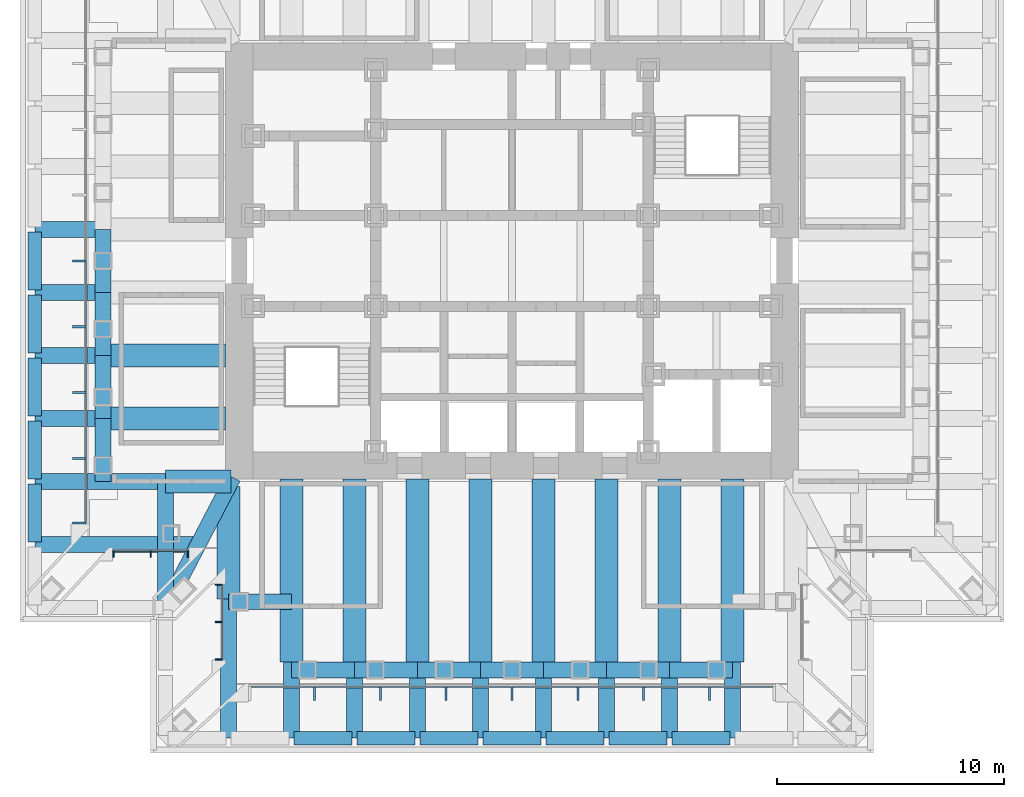
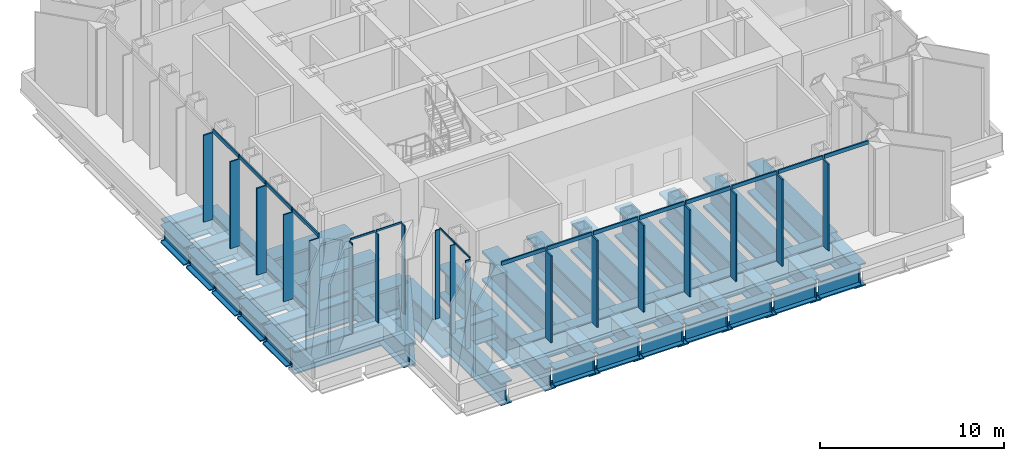
# One storey, part 2 of 13: 53 beams, 34 members, 4 elements without a shape of their own.
"""IFC4 building model written with IfcOpenShell, lengths in metres."""

import ifcopenshell
import ifcopenshell.guid

model = None  # the IFC model being written
_history = None  # IfcOwnerHistory: only IFC2X3 demands one
_inside = {}  # id of a spatial element -> (the spatial element, [elements in it])
_under = {}  # id of a project, library or spatial element -> (it, [spatial elements below it])
_declared = {}  # id of a project -> (the project, [libraries it declares])
_typed = {}  # id of a type object -> (the type object, [elements of that type])
_made_of = {}  # id of a material, layer set ... -> (it, [elements and type objects made of it])


def new_model(schema):
    """Start an empty IFC model of exactly this schema.

    Asked for "IFC4X3", IfcOpenShell would pick the latest addendum, in which some entities
    have other attributes; the version numbers below select the first issue.
    IFC2X3 requires an IfcOwnerHistory on every rooted entity: one is made here for all.
    """
    global model, _history
    if schema == "IFC4X3":
        model = ifcopenshell.file(schema_version=(4, 3, 0, 0))
    else:
        model = ifcopenshell.file(schema=schema)
    _inside.clear()
    _under.clear()
    _declared.clear()
    _typed.clear()
    _made_of.clear()
    _history = None
    if model.schema == "IFC2X3":
        org = make("IfcOrganization", Name="unknown")
        user = make(
            "IfcPersonAndOrganization",
            ThePerson=make("IfcPerson", FamilyName="unknown"),
            TheOrganization=org,
        )
        app = make(
            "IfcApplication",
            ApplicationDeveloper=org,
            Version="unknown",
            ApplicationFullName="unknown",
            ApplicationIdentifier="unknown",
        )
        _history = make(
            "IfcOwnerHistory",
            OwningUser=user,
            OwningApplication=app,
            ChangeAction="ADDED",
            CreationDate=0,
        )
    return model


def make(cls, **values):
    """One entity of the class cls with the attributes given. An attribute that is None is left unset."""
    return model.create_entity(
        cls, **{name: value for name, value in values.items() if value is not None}
    )


def rooted(cls, **values):
    """An entity with a GlobalId (a new one), such as an element, a storey or a relation."""
    return make(cls, GlobalId=ifcopenshell.guid.new(), OwnerHistory=_history, **values)


def si_unit(unit_type, name, prefix=None):
    """IfcSIUnit, for example si_unit("LENGTHUNIT", "METRE", prefix="MILLI")."""
    return make("IfcSIUnit", UnitType=unit_type, Prefix=prefix, Name=name)


def assignment(units):
    """IfcUnitAssignment: the units of a project."""
    return None if units is None else make("IfcUnitAssignment", Units=units)


def point(xyz):
    """IfcCartesianPoint."""
    return None if xyz is None else make("IfcCartesianPoint", Coordinates=xyz)


def direction(xyz):
    """IfcDirection."""
    return None if xyz is None else make("IfcDirection", DirectionRatios=xyz)


def frame(location, z_axis=None, x_axis=None):
    """IfcAxis2Placement3D, a coordinate frame: its origin and axes. An axis left out is left unset."""
    return make(
        "IfcAxis2Placement3D",
        Location=point(location),
        Axis=direction(z_axis),
        RefDirection=direction(x_axis),
    )


def frame_2d(location, x_axis=None):
    """IfcAxis2Placement2D, a coordinate frame in the plane: its origin and x axis."""
    return make(
        "IfcAxis2Placement2D", Location=point(location), RefDirection=direction(x_axis)
    )


def origin():
    """The frame at (0, 0, 0) with its axes left unset."""
    return frame((0.0, 0.0, 0.0))


def origin_2d():
    """The frame at (0, 0) in the plane with its x axis left unset."""
    return frame_2d((0.0, 0.0))


def place(relative_to, where):
    """IfcLocalPlacement: puts the frame where relative to a parent placement (None: the world)."""
    return make(
        "IfcLocalPlacement", PlacementRelTo=relative_to, RelativePlacement=where
    )


def context(
    kind, dimensions, precision=None, world=None, true_north=None, identifier=None
):
    """IfcGeometricRepresentationContext, for example the 3D "Model" context."""
    return make(
        "IfcGeometricRepresentationContext",
        ContextIdentifier=identifier,
        ContextType=kind,
        CoordinateSpaceDimension=dimensions,
        Precision=precision,
        WorldCoordinateSystem=world,
        TrueNorth=true_north,
    )


def subcontext(parent, identifier, kind, view, scale=None):
    """IfcGeometricRepresentationSubContext, for example "Body" below "Model"."""
    return make(
        "IfcGeometricRepresentationSubContext",
        ContextIdentifier=identifier,
        ContextType=kind,
        ParentContext=parent,
        TargetScale=scale,
        TargetView=view,
    )


def project(units=None, contexts=None):
    """IfcProject with its units and contexts."""
    return rooted(
        "IfcProject",
        Name="project",
        RepresentationContexts=contexts,
        UnitsInContext=assignment(units),
    )


def spatial(cls, under=None, at=None, **own):
    """A site, building, storey or space (cls), placed at a placement, below another one or the project."""
    s = rooted(cls, ObjectPlacement=at, **own)
    if under is not None:
        _under.setdefault(under.id(), (under, []))[1].append(s)
    return s


def profile(cls, at=None, kind="AREA", **sizes):
    """A parametric profile (cls). Its sizes go by their IFC names, for example OverallWidth=200.0."""
    return make(cls, ProfileType=kind, Position=at, **sizes)


def rectangle(**sizes):
    """IfcRectangleProfileDef."""
    return profile("IfcRectangleProfileDef", **sizes)


def i_section(**sizes):
    """IfcIShapeProfileDef."""
    return profile("IfcIShapeProfileDef", **sizes)


def extrude(swept, where, along, depth):
    """IfcExtrudedAreaSolid: the profile swept, set in the frame where, extruded along a direction by depth."""
    return make(
        "IfcExtrudedAreaSolid",
        SweptArea=swept,
        Position=where,
        ExtrudedDirection=direction(along),
        Depth=depth,
    )


def shape(context_of_items, identifier, shape_type, items):
    """IfcShapeRepresentation: the items that make up one representation, for example the "Body"."""
    return make(
        "IfcShapeRepresentation",
        ContextOfItems=context_of_items,
        RepresentationIdentifier=identifier,
        RepresentationType=shape_type,
        Items=items,
    )


def material(Name=None, Category=None):
    """IfcMaterial."""
    return make("IfcMaterial", Name=Name, Category=Category)


def material_profile(
    of_material, cross_section, Name=None, Category=None, Priority=None
):
    """IfcMaterialProfile: a cross section and its material."""
    return make(
        "IfcMaterialProfile",
        Name=Name,
        Material=of_material,
        Profile=cross_section,
        Priority=Priority,
        Category=Category,
    )


def profile_set(profiles, Name=None, composite=None):
    """IfcMaterialProfileSet."""
    return make(
        "IfcMaterialProfileSet",
        Name=Name,
        MaterialProfiles=profiles,
        CompositeProfile=composite,
    )


def made_of(thing, what):
    """Note that an element or type object is made of a material, layer set ...; save() writes the relation."""
    if what is not None:
        _made_of.setdefault(what.id(), (what, []))[1].append(thing)
    return thing


def type_object(cls, material=None, **own):
    """A type object (cls), such as IfcWallType, which elements share."""
    return made_of(rooted(cls, **own), material)


def element(
    cls,
    number,
    at=None,
    inside=None,
    cuts=None,
    type_object=None,
    material=None,
    context=None,
    identifier="Body",
    shape_type=None,
    held_by="IfcProductDefinitionShape",
    body=None,
    shapes=None,
    **own,
):
    """One element of the class cls, such as IfcWall. Its Tag is "e" and its number.

    at: its placement. inside: the storey or other place that contains it. cuts: it is an
    opening in that element (IfcRelVoidsElement). A single representation is given by context,
    identifier, shape_type and body (its items); several are given by shapes. held_by: the class
    of the entity that holds the representations. save() writes the other relations.
    """
    e = rooted(cls, Tag="e%d" % number, ObjectPlacement=at, **own)
    if body is not None:
        shapes = [shape(context, identifier, shape_type, body)]
    if shapes is not None:
        e.Representation = make(held_by, Representations=shapes)
    if inside is not None:
        _inside.setdefault(inside.id(), (inside, []))[1].append(e)
    if cuts is not None:
        rooted(
            "IfcRelVoidsElement", RelatingBuildingElement=cuts, RelatedOpeningElement=e
        )
    if type_object is not None:
        _typed.setdefault(type_object.id(), (type_object, []))[1].append(e)
    return made_of(e, material)


def aggregate(whole, parts):
    """IfcRelAggregates: a whole, such as a stair, and the parts it consists of."""
    return rooted("IfcRelAggregates", RelatingObject=whole, RelatedObjects=parts)


def save(model, path):
    """Write the relations noted so far, then the file.

    IfcRelAggregates (storeys below a building ...), IfcRelContainedInSpatialStructure (elements
    in a storey), IfcRelDefinesByType, IfcRelAssociatesMaterial and IfcRelDeclares: one each for
    every whole, place, type object, material and project.
    """
    for whole, parts in _under.values():
        aggregate(whole, parts)
    for where, things in _inside.values():
        rooted(
            "IfcRelContainedInSpatialStructure",
            RelatedElements=things,
            RelatingStructure=where,
        )
    for kind, things in _typed.values():
        rooted("IfcRelDefinesByType", RelatedObjects=things, RelatingType=kind)
    for what, things in _made_of.values():
        rooted("IfcRelAssociatesMaterial", RelatedObjects=things, RelatingMaterial=what)
    for by, libraries in _declared.values():
        rooted("IfcRelDeclares", RelatingContext=by, RelatedDefinitions=libraries)
    model.write(path)


model = new_model("IFC4")

# Units and contexts
model_context = context("Model", 3, precision=1e-05, world=origin(), true_north=direction((0.0, 1.0)))
body_context = subcontext(model_context, "Body", "Model", "MODEL_VIEW")
ifc_project = project(units=[si_unit("LENGTHUNIT", "METRE"), si_unit("AREAUNIT", "SQUARE_METRE"), si_unit("VOLUMEUNIT", "CUBIC_METRE"), si_unit("PLANEANGLEUNIT", "RADIAN"), si_unit("MASSUNIT", "GRAM", prefix="KILO")], contexts=[model_context])

# Site, building, storey
site_placement = place(None, origin())
site = spatial("IfcSite", under=ifc_project, at=site_placement, CompositionType="ELEMENT")
building_placement = place(site_placement, origin())
building = spatial("IfcBuilding", under=site, at=building_placement, Name="Daluyong Arena Tower", CompositionType="ELEMENT")
storey_placement = place(building_placement, frame((0.0, 0.0, 279.699951171875)))
storey = spatial("IfcBuildingStorey", under=building, at=storey_placement, Name="L63", CompositionType="ELEMENT", Elevation=279.699951171875)

# Curtain wall, members
ifc_material_1 = material(Name="Bronze anodised aluminium and glass", Category="aluminium")
curtain_wall_type_1 = type_object("IfcCurtainWallType", Name="Curtain wall CW5", PredefinedType="USERDEFINED", material=ifc_material_1)
curtain_wall_1_placement = place(storey_placement, origin())
curtain_wall_1 = element("IfcCurtainWall", 1, at=curtain_wall_1_placement, inside=storey, type_object=curtain_wall_type_1, Name="curtain wall L63 S", ObjectType="UNITISED CURTAIN WALL", PredefinedType="USERDEFINED")
ifc_material_2 = material(Name="Bronze anodised aluminium fin", Category="aluminium")
ifc_material_profile_1 = material_profile(ifc_material_2, rectangle(XDim=0.60009765625, YDim=0.090087890625, at=origin_2d()))
ifc_profile_set_1 = profile_set([ifc_material_profile_1], Name="Bronze anodised aluminium fin")
member_type_1 = type_object("IfcMemberType", Name="CW5 bronze fin 600x90", PredefinedType="MULLION", material=ifc_profile_set_1)
member_1_placement = place(storey_placement, frame((47.310791015625, 60.949951171875, 0.0), z_axis=(0.0, 0.0, 1.0), x_axis=(0.0, 1.0, 0.0)))
member_1 = element("IfcMember", 2, at=member_1_placement, type_object=member_type_1, Name="curtain wall L63 S fin 2", PredefinedType="MULLION", context=body_context, shape_type="SweptSolid", body=[
    extrude(rectangle(XDim=0.60009765625, YDim=0.090087890625, at=origin_2d()), origin(), (0.0, 0.0, 1.0), 5.760009765625),
])
member_2_placement = place(storey_placement, frame((50.207275390625, 60.949951171875, 0.0), z_axis=(0.0, 0.0, 1.0), x_axis=(0.0, 1.0, 0.0)))
member_2 = element("IfcMember", 3, at=member_2_placement, type_object=member_type_1, Name="curtain wall L63 S fin 3", PredefinedType="MULLION", context=body_context, shape_type="SweptSolid", body=[
    extrude(rectangle(XDim=0.60009765625, YDim=0.090087890625, at=origin_2d()), origin(), (0.0, 0.0, 1.0), 5.760009765625),
])
member_3_placement = place(storey_placement, frame((53.103515625, 60.949951171875, 0.0), z_axis=(0.0, 0.0, 1.0), x_axis=(0.0, 1.0, 0.0)))
member_3 = element("IfcMember", 4, at=member_3_placement, type_object=member_type_1, Name="curtain wall L63 S fin 4", PredefinedType="MULLION", context=body_context, shape_type="SweptSolid", body=[
    extrude(rectangle(XDim=0.60009765625, YDim=0.090087890625, at=origin_2d()), origin(), (0.0, 0.0, 1.0), 5.760009765625),
])
member_4_placement = place(storey_placement, frame((56.0, 60.949951171875, 0.0), z_axis=(0.0, 0.0, 1.0), x_axis=(0.0, 1.0, 0.0)))
member_4 = element("IfcMember", 5, at=member_4_placement, type_object=member_type_1, Name="curtain wall L63 S fin 5", PredefinedType="MULLION", context=body_context, shape_type="SweptSolid", body=[
    extrude(rectangle(XDim=0.60009765625, YDim=0.090087890625, at=origin_2d()), origin(), (0.0, 0.0, 1.0), 5.760009765625),
])
member_5_placement = place(storey_placement, frame((58.896484375, 60.949951171875, 0.0), z_axis=(0.0, 0.0, 1.0), x_axis=(0.0, 1.0, 0.0)))
member_5 = element("IfcMember", 6, at=member_5_placement, type_object=member_type_1, Name="curtain wall L63 S fin 6", PredefinedType="MULLION", context=body_context, shape_type="SweptSolid", body=[
    extrude(rectangle(XDim=0.60009765625, YDim=0.090087890625, at=origin_2d()), origin(), (0.0, 0.0, 1.0), 5.760009765625),
])
member_6_placement = place(storey_placement, frame((61.792724609375, 60.949951171875, 0.0), z_axis=(0.0, 0.0, 1.0), x_axis=(0.0, 1.0, 0.0)))
member_6 = element("IfcMember", 7, at=member_6_placement, type_object=member_type_1, Name="curtain wall L63 S fin 7", PredefinedType="MULLION", context=body_context, shape_type="SweptSolid", body=[
    extrude(rectangle(XDim=0.60009765625, YDim=0.090087890625, at=origin_2d()), origin(), (0.0, 0.0, 1.0), 5.760009765625),
])
member_7_placement = place(storey_placement, frame((64.689208984375, 60.949951171875, 0.0), z_axis=(0.0, 0.0, 1.0), x_axis=(0.0, 1.0, 0.0)))
member_7 = element("IfcMember", 8, at=member_7_placement, type_object=member_type_1, Name="curtain wall L63 S fin 8", PredefinedType="MULLION", context=body_context, shape_type="SweptSolid", body=[
    extrude(rectangle(XDim=0.60009765625, YDim=0.090087890625, at=origin_2d()), origin(), (0.0, 0.0, 1.0), 5.760009765625),
])

curtain_wall_2_placement = place(storey_placement, origin())
curtain_wall_2 = element("IfcCurtainWall", 9, at=curtain_wall_2_placement, inside=storey, type_object=curtain_wall_type_1, Name="curtain wall L63 W", ObjectType="UNITISED CURTAIN WALL", PredefinedType="USERDEFINED")
member_8_placement = place(storey_placement, frame((36.949951171875, 80.0, 0.0), z_axis=(0.0, 0.0, 1.0), x_axis=(1.0, 0.0, 0.0)))
member_8 = element("IfcMember", 10, at=member_8_placement, type_object=member_type_1, Name="curtain wall L63 W fin 5", PredefinedType="MULLION", context=body_context, shape_type="SweptSolid", body=[
    extrude(rectangle(XDim=0.60009765625, YDim=0.090087890625, at=origin_2d()), origin(), (0.0, 0.0, 1.0), 5.760009765625),
])
member_9_placement = place(storey_placement, frame((36.949951171875, 77.103515625, 0.0), z_axis=(0.0, 0.0, 1.0), x_axis=(1.0, 0.0, 0.0)))
member_9 = element("IfcMember", 11, at=member_9_placement, type_object=member_type_1, Name="curtain wall L63 W fin 6", PredefinedType="MULLION", context=body_context, shape_type="SweptSolid", body=[
    extrude(rectangle(XDim=0.60009765625, YDim=0.090087890625, at=origin_2d()), origin(), (0.0, 0.0, 1.0), 5.760009765625),
])
member_10_placement = place(storey_placement, frame((36.949951171875, 74.207275390625, 0.0), z_axis=(0.0, 0.0, 1.0), x_axis=(1.0, 0.0, 0.0)))
member_10 = element("IfcMember", 12, at=member_10_placement, type_object=member_type_1, Name="curtain wall L63 W fin 7", PredefinedType="MULLION", context=body_context, shape_type="SweptSolid", body=[
    extrude(rectangle(XDim=0.60009765625, YDim=0.090087890625, at=origin_2d()), origin(), (0.0, 0.0, 1.0), 5.760009765625),
])
member_11_placement = place(storey_placement, frame((36.949951171875, 71.310791015625, 0.0), z_axis=(0.0, 0.0, 1.0), x_axis=(1.0, 0.0, 0.0)))
member_11 = element("IfcMember", 13, at=member_11_placement, type_object=member_type_1, Name="curtain wall L63 W fin 8", PredefinedType="MULLION", context=body_context, shape_type="SweptSolid", body=[
    extrude(rectangle(XDim=0.60009765625, YDim=0.090087890625, at=origin_2d()), origin(), (0.0, 0.0, 1.0), 5.760009765625),
])
member_12_placement = place(storey_placement, frame((36.949951171875, 68.45947265625, 0.0), z_axis=(0.0, 0.0, 1.0), x_axis=(1.0, 0.0, 0.0)))
member_12 = element("IfcMember", 14, at=member_12_placement, type_object=member_type_1, Name="curtain wall L63 W fin 9", PredefinedType="MULLION", context=body_context, shape_type="SweptSolid", body=[
    extrude(rectangle(XDim=0.60009765625, YDim=0.090087890625, at=origin_2d()), origin(), (0.0, 0.0, 1.0), 5.760009765625),
])

# Member
ifc_material_3 = material(Name="Bronze anodised aluminium", Category="aluminium")
ifc_material_profile_2 = material_profile(ifc_material_3, rectangle(XDim=0.090087890625, YDim=0.239990234375, at=origin_2d()))
ifc_profile_set_2 = profile_set([ifc_material_profile_2], Name="Bronze anodised aluminium")
member_type_2 = type_object("IfcMemberType", Name="CW5 stack transom 240x90", PredefinedType="USERDEFINED", material=ifc_profile_set_2)
member_13_placement = place(storey_placement, frame((44.50439453125, 61.25, 5.880126953125), z_axis=(1.0, 0.0, 0.0), x_axis=(0.0, 1.0, 0.0)))
member_13 = element("IfcMember", 15, at=member_13_placement, type_object=member_type_2, Name="curtain wall L63 S transom 1", ObjectType="TRANSOM", PredefinedType="USERDEFINED", context=body_context, shape_type="SweptSolid", body=[
    extrude(rectangle(XDim=0.090087890625, YDim=0.239990234375, at=origin_2d()), origin(), (0.0, 0.0, 1.0), 2.761474609375),
])

member_14_placement = place(storey_placement, frame((47.35595703125, 61.25, 5.880126953125), z_axis=(1.0, 0.0, 0.0), x_axis=(0.0, 1.0, 0.0)))
member_14 = element("IfcMember", 16, at=member_14_placement, type_object=member_type_2, Name="curtain wall L63 S transom 2", ObjectType="TRANSOM", PredefinedType="USERDEFINED", context=body_context, shape_type="SweptSolid", body=[
    extrude(rectangle(XDim=0.090087890625, YDim=0.239990234375, at=origin_2d()), origin(), (0.0, 0.0, 1.0), 2.806396484375),
])

member_15_placement = place(storey_placement, frame((50.252197265625, 61.25, 5.880126953125), z_axis=(1.0, 0.0, 0.0), x_axis=(0.0, 1.0, 0.0)))
member_15 = element("IfcMember", 17, at=member_15_placement, type_object=member_type_2, Name="curtain wall L63 S transom 3", ObjectType="TRANSOM", PredefinedType="USERDEFINED", context=body_context, shape_type="SweptSolid", body=[
    extrude(rectangle(XDim=0.090087890625, YDim=0.239990234375, at=origin_2d()), origin(), (0.0, 0.0, 1.0), 2.806396484375),
])

member_16_placement = place(storey_placement, frame((53.148681640625, 61.25, 5.880126953125), z_axis=(1.0, 0.0, 0.0), x_axis=(0.0, 1.0, 0.0)))
member_16 = element("IfcMember", 18, at=member_16_placement, type_object=member_type_2, Name="curtain wall L63 S transom 4", ObjectType="TRANSOM", PredefinedType="USERDEFINED", context=body_context, shape_type="SweptSolid", body=[
    extrude(rectangle(XDim=0.090087890625, YDim=0.239990234375, at=origin_2d()), origin(), (0.0, 0.0, 1.0), 2.806396484375),
])

member_17_placement = place(storey_placement, frame((56.044921875, 61.25, 5.880126953125), z_axis=(1.0, 0.0, 0.0), x_axis=(0.0, 1.0, 0.0)))
member_17 = element("IfcMember", 19, at=member_17_placement, type_object=member_type_2, Name="curtain wall L63 S transom 5", ObjectType="TRANSOM", PredefinedType="USERDEFINED", context=body_context, shape_type="SweptSolid", body=[
    extrude(rectangle(XDim=0.090087890625, YDim=0.239990234375, at=origin_2d()), origin(), (0.0, 0.0, 1.0), 2.806396484375),
])

member_18_placement = place(storey_placement, frame((58.94140625, 61.25, 5.880126953125), z_axis=(1.0, 0.0, 0.0), x_axis=(0.0, 1.0, 0.0)))
member_18 = element("IfcMember", 20, at=member_18_placement, type_object=member_type_2, Name="curtain wall L63 S transom 6", ObjectType="TRANSOM", PredefinedType="USERDEFINED", context=body_context, shape_type="SweptSolid", body=[
    extrude(rectangle(XDim=0.090087890625, YDim=0.239990234375, at=origin_2d()), origin(), (0.0, 0.0, 1.0), 2.806396484375),
])

member_19_placement = place(storey_placement, frame((61.837646484375, 61.25, 5.880126953125), z_axis=(1.0, 0.0, 0.0), x_axis=(0.0, 1.0, 0.0)))
member_19 = element("IfcMember", 21, at=member_19_placement, type_object=member_type_2, Name="curtain wall L63 S transom 7", ObjectType="TRANSOM", PredefinedType="USERDEFINED", context=body_context, shape_type="SweptSolid", body=[
    extrude(rectangle(XDim=0.090087890625, YDim=0.239990234375, at=origin_2d()), origin(), (0.0, 0.0, 1.0), 2.806396484375),
])

member_20_placement = place(storey_placement, frame((64.734130859375, 61.25, 5.880126953125), z_axis=(1.0, 0.0, 0.0), x_axis=(0.0, 1.0, 0.0)))
member_20 = element("IfcMember", 22, at=member_20_placement, type_object=member_type_2, Name="curtain wall L63 S transom 8", ObjectType="TRANSOM", PredefinedType="USERDEFINED", context=body_context, shape_type="SweptSolid", body=[
    extrude(rectangle(XDim=0.090087890625, YDim=0.239990234375, at=origin_2d()), origin(), (0.0, 0.0, 1.0), 2.761474609375),
])

aggregate(curtain_wall_1, [member_1, member_2, member_3, member_4, member_5, member_6, member_7, member_13, member_14, member_15, member_16, member_17, member_18, member_19, member_20])

member_21_placement = place(storey_placement, frame((37.25, 79.955078125, 5.880126953125), z_axis=(0.0, -1.0, 0.0), x_axis=(1.0, 0.0, 0.0)))
member_21 = element("IfcMember", 23, at=member_21_placement, type_object=member_type_2, Name="curtain wall L63 W transom 5", ObjectType="TRANSOM", PredefinedType="USERDEFINED", context=body_context, shape_type="SweptSolid", body=[
    extrude(rectangle(XDim=0.090087890625, YDim=0.239990234375, at=origin_2d()), origin(), (0.0, 0.0, 1.0), 2.806396484375),
])

member_22_placement = place(storey_placement, frame((37.25, 77.05859375, 5.880126953125), z_axis=(0.0, -1.0, 0.0), x_axis=(1.0, 0.0, 0.0)))
member_22 = element("IfcMember", 24, at=member_22_placement, type_object=member_type_2, Name="curtain wall L63 W transom 6", ObjectType="TRANSOM", PredefinedType="USERDEFINED", context=body_context, shape_type="SweptSolid", body=[
    extrude(rectangle(XDim=0.090087890625, YDim=0.239990234375, at=origin_2d()), origin(), (0.0, 0.0, 1.0), 2.806396484375),
])

member_23_placement = place(storey_placement, frame((37.25, 74.162353515625, 5.880126953125), z_axis=(0.0, -1.0, 0.0), x_axis=(1.0, 0.0, 0.0)))
member_23 = element("IfcMember", 25, at=member_23_placement, type_object=member_type_2, Name="curtain wall L63 W transom 7", ObjectType="TRANSOM", PredefinedType="USERDEFINED", context=body_context, shape_type="SweptSolid", body=[
    extrude(rectangle(XDim=0.090087890625, YDim=0.239990234375, at=origin_2d()), origin(), (0.0, 0.0, 1.0), 2.806396484375),
])

member_24_placement = place(storey_placement, frame((37.25, 71.265869140625, 5.880126953125), z_axis=(0.0, -1.0, 0.0), x_axis=(1.0, 0.0, 0.0)))
member_24 = element("IfcMember", 26, at=member_24_placement, type_object=member_type_2, Name="curtain wall L63 W transom 8", ObjectType="TRANSOM", PredefinedType="USERDEFINED", context=body_context, shape_type="SweptSolid", body=[
    extrude(rectangle(XDim=0.090087890625, YDim=0.239990234375, at=origin_2d()), origin(), (0.0, 0.0, 1.0), 2.761474609375),
])

aggregate(curtain_wall_2, [member_8, member_9, member_10, member_11, member_12, member_21, member_22, member_23, member_24])

# Curtain wall, members
ifc_material_4 = material(Name="Bronze anodised aluminium and glass", Category="aluminium")
curtain_wall_type_2 = type_object("IfcCurtainWallType", Name="Curtain wall CW7", PredefinedType="USERDEFINED", material=ifc_material_4)
curtain_wall_3_placement = place(storey_placement, origin())
curtain_wall_3 = element("IfcCurtainWall", 27, at=curtain_wall_3_placement, inside=storey, type_object=curtain_wall_type_2, Name="curtain wall L63 SW-S", ObjectType="UNITISED CURTAIN WALL", PredefinedType="USERDEFINED")
ifc_material_5 = material(Name="Bronze anodised aluminium fin", Category="aluminium")
ifc_material_profile_3 = material_profile(ifc_material_5, rectangle(XDim=0.300048828125, YDim=0.06005859375, at=origin_2d()))
ifc_profile_set_3 = profile_set([ifc_material_profile_3], Name="Bronze anodised aluminium fin")
member_type_3 = type_object("IfcMemberType", Name="CW7 bronze fin 300x60", PredefinedType="MULLION", material=ifc_profile_set_3)
member_25_placement = place(storey_placement, frame((38.45947265625, 67.10009765625, 0.0), z_axis=(0.0, 0.0, 1.0), x_axis=(0.0, 1.0, 0.0)))
member_25 = element("IfcMember", 28, at=member_25_placement, type_object=member_type_3, Name="curtain wall L63 SW-S fin 1", PredefinedType="MULLION", context=body_context, shape_type="SweptSolid", body=[
    extrude(rectangle(XDim=0.300048828125, YDim=0.06005859375, at=origin_2d()), origin(), (0.0, 0.0, 1.0), 5.880126953125),
])
member_26_placement = place(storey_placement, frame((40.103759765625, 67.10009765625, 0.0), z_axis=(0.0, 0.0, 1.0), x_axis=(0.0, 1.0, 0.0)))
member_26 = element("IfcMember", 29, at=member_26_placement, type_object=member_type_3, Name="curtain wall L63 SW-S fin 2", PredefinedType="MULLION", context=body_context, shape_type="SweptSolid", body=[
    extrude(rectangle(XDim=0.300048828125, YDim=0.06005859375, at=origin_2d()), origin(), (0.0, 0.0, 1.0), 5.880126953125),
])
member_27_placement = place(storey_placement, frame((41.747802734375, 67.10009765625, 0.0), z_axis=(0.0, 0.0, 1.0), x_axis=(0.0, 1.0, 0.0)))
member_27 = element("IfcMember", 30, at=member_27_placement, type_object=member_type_3, Name="curtain wall L63 SW-S fin 3", PredefinedType="MULLION", context=body_context, shape_type="SweptSolid", body=[
    extrude(rectangle(XDim=0.300048828125, YDim=0.06005859375, at=origin_2d()), origin(), (0.0, 0.0, 1.0), 5.880126953125),
])

curtain_wall_4_placement = place(storey_placement, origin())
curtain_wall_4 = element("IfcCurtainWall", 31, at=curtain_wall_4_placement, inside=storey, type_object=curtain_wall_type_2, Name="curtain wall L63 SW-W", ObjectType="UNITISED CURTAIN WALL", PredefinedType="USERDEFINED")
member_28_placement = place(storey_placement, frame((43.10009765625, 65.747802734375, 0.0), z_axis=(0.0, 0.0, 1.0), x_axis=(1.0, 0.0, 0.0)))
member_28 = element("IfcMember", 32, at=member_28_placement, type_object=member_type_3, Name="curtain wall L63 SW-W fin 1", PredefinedType="MULLION", context=body_context, shape_type="SweptSolid", body=[
    extrude(rectangle(XDim=0.300048828125, YDim=0.06005859375, at=origin_2d()), origin(), (0.0, 0.0, 1.0), 5.880126953125),
])
member_29_placement = place(storey_placement, frame((43.10009765625, 64.103759765625, 0.0), z_axis=(0.0, 0.0, 1.0), x_axis=(1.0, 0.0, 0.0)))
member_29 = element("IfcMember", 33, at=member_29_placement, type_object=member_type_3, Name="curtain wall L63 SW-W fin 2", PredefinedType="MULLION", context=body_context, shape_type="SweptSolid", body=[
    extrude(rectangle(XDim=0.300048828125, YDim=0.06005859375, at=origin_2d()), origin(), (0.0, 0.0, 1.0), 5.880126953125),
])
member_30_placement = place(storey_placement, frame((43.10009765625, 62.45947265625, 0.0), z_axis=(0.0, 0.0, 1.0), x_axis=(1.0, 0.0, 0.0)))
member_30 = element("IfcMember", 34, at=member_30_placement, type_object=member_type_3, Name="curtain wall L63 SW-W fin 3", PredefinedType="MULLION", context=body_context, shape_type="SweptSolid", body=[
    extrude(rectangle(XDim=0.300048828125, YDim=0.06005859375, at=origin_2d()), origin(), (0.0, 0.0, 1.0), 5.880126953125),
])

# Member
ifc_material_6 = material(Name="Bronze anodised aluminium", Category="aluminium")
ifc_material_profile_4 = material_profile(ifc_material_6, rectangle(XDim=0.06005859375, YDim=0.1201171875, at=origin_2d()))
ifc_profile_set_4 = profile_set([ifc_material_profile_4], Name="Bronze anodised aluminium")
member_type_4 = type_object("IfcMemberType", Name="CW7 stack transom 120x60", PredefinedType="USERDEFINED", material=ifc_profile_set_4)
member_31_placement = place(storey_placement, frame((38.489501953125, 67.25, 5.93994140625), z_axis=(1.0, 0.0, 0.0), x_axis=(0.0, 1.0, 0.0)))
member_31 = element("IfcMember", 35, at=member_31_placement, type_object=member_type_4, Name="curtain wall L63 SW-S transom 1", ObjectType="TRANSOM", PredefinedType="USERDEFINED", context=body_context, shape_type="SweptSolid", body=[
    extrude(rectangle(XDim=0.06005859375, YDim=0.1201171875, at=origin_2d()), origin(), (0.0, 0.0, 1.0), 1.584228515625),
])

member_32_placement = place(storey_placement, frame((40.1337890625, 67.25, 5.93994140625), z_axis=(1.0, 0.0, 0.0), x_axis=(0.0, 1.0, 0.0)))
member_32 = element("IfcMember", 36, at=member_32_placement, type_object=member_type_4, Name="curtain wall L63 SW-S transom 2", ObjectType="TRANSOM", PredefinedType="USERDEFINED", context=body_context, shape_type="SweptSolid", body=[
    extrude(rectangle(XDim=0.06005859375, YDim=0.1201171875, at=origin_2d()), origin(), (0.0, 0.0, 1.0), 1.584228515625),
])

aggregate(curtain_wall_3, [member_25, member_26, member_27, member_31, member_32])

member_33_placement = place(storey_placement, frame((43.25, 65.718017578125, 5.93994140625), z_axis=(0.0, -1.0, 0.0), x_axis=(1.0, 0.0, 0.0)))
member_33 = element("IfcMember", 37, at=member_33_placement, type_object=member_type_4, Name="curtain wall L63 SW-W transom 1", ObjectType="TRANSOM", PredefinedType="USERDEFINED", context=body_context, shape_type="SweptSolid", body=[
    extrude(rectangle(XDim=0.06005859375, YDim=0.1201171875, at=origin_2d()), origin(), (0.0, 0.0, 1.0), 1.584228515625),
])

member_34_placement = place(storey_placement, frame((43.25, 64.07373046875, 5.93994140625), z_axis=(0.0, -1.0, 0.0), x_axis=(1.0, 0.0, 0.0)))
member_34 = element("IfcMember", 38, at=member_34_placement, type_object=member_type_4, Name="curtain wall L63 SW-W transom 2", ObjectType="TRANSOM", PredefinedType="USERDEFINED", context=body_context, shape_type="SweptSolid", body=[
    extrude(rectangle(XDim=0.06005859375, YDim=0.1201171875, at=origin_2d()), origin(), (0.0, 0.0, 1.0), 1.584228515625),
])

aggregate(curtain_wall_4, [member_28, member_29, member_30, member_33, member_34])

# Beams
ifc_material_7 = material(Name="Steel ASTM A588 Grade 50", Category="steel")
ifc_material_profile_5 = material_profile(ifc_material_7, i_section(OverallWidth=1.0, OverallDepth=2.0, WebThickness=0.06, FlangeThickness=0.15, at=origin_2d()))
ifc_profile_set_5 = profile_set([ifc_material_profile_5], Name="Steel ASTM A588 Grade 50")
beam_type_1 = type_object("IfcBeamType", Name="Floor beam PG2000X1000", PredefinedType="BEAM", material=ifc_profile_set_5)
beam_1_placement = place(storey_placement, frame((43.522705078125, 65.114990234375, -1.25), z_axis=(0.0, 1.0, 0.0), x_axis=(-1.0, 0.0, 0.0)))
element("IfcBeam", 39, at=beam_1_placement, inside=storey, type_object=beam_type_1, Name="floor beam FB5", PredefinedType="BEAM", context=body_context, shape_type="SweptSolid", body=[
    extrude(i_section(OverallWidth=1.0, OverallDepth=2.0, WebThickness=0.06, FlangeThickness=0.15, at=origin_2d()), origin(), (0.0, 0.0, 1.0), 4.96728515625),
])
for number, where, z_axis, x_axis, name in (
    (40, (46.29541015625, 62.35009765625, -1.25), (0.0, 1.0, 0.0), (-1.0, 0.0, 0.0), "floor beam FB5"),
    (41, (49.068115234375, 62.35009765625, -1.25), (0.0, 1.0, 0.0), (-1.0, 0.0, 0.0), "floor beam FB5"),
    (42, (51.8408203125, 62.35009765625, -1.25), (0.0, 1.0, 0.0), (-1.0, 0.0, 0.0), "floor beam FB5"),
    (43, (54.613525390625, 62.35009765625, -1.25), (0.0, 1.0, 0.0), (-1.0, 0.0, 0.0), "floor beam FB5"),
    (44, (57.386474609375, 62.35009765625, -1.25), (0.0, 1.0, 0.0), (-1.0, 0.0, 0.0), "floor beam FB5"),
    (45, (60.1591796875, 62.35009765625, -1.25), (0.0, 1.0, 0.0), (-1.0, 0.0, 0.0), "floor beam FB5"),
    (46, (62.931884765625, 62.35009765625, -1.25), (0.0, 1.0, 0.0), (-1.0, 0.0, 0.0), "floor beam FB5"),
    (47, (65.70458984375, 62.35009765625, -1.25), (0.0, 1.0, 0.0), (-1.0, 0.0, 0.0), "floor beam FB5"),
):
    element("IfcBeam", number, at=place(storey_placement, frame(where, z_axis=z_axis, x_axis=x_axis)), inside=storey, type_object=beam_type_1, Name=name, PredefinedType="BEAM", context=body_context, shape_type="SweptSolid", body=[
        extrude(i_section(OverallWidth=1.0, OverallDepth=2.0, WebThickness=0.06, FlangeThickness=0.15, at=origin_2d()), origin(), (0.0, 0.0, 1.0), 8.0498046875),
    ])
for number, where, z_axis, x_axis, name in (
    (48, (38.114990234375, 75.8408203125, -1.25), (1.0, 0.0, 0.0), (0.0, 1.0, 0.0), "floor beam FB5"),
    (49, (38.114990234375, 73.068115234375, -1.25), (1.0, 0.0, 0.0), (0.0, 1.0, 0.0), "floor beam FB5"),
):
    element("IfcBeam", number, at=place(storey_placement, frame(where, z_axis=z_axis, x_axis=x_axis)), inside=storey, type_object=beam_type_1, Name=name, PredefinedType="BEAM", context=body_context, shape_type="SweptSolid", body=[
        extrude(i_section(OverallWidth=1.0, OverallDepth=2.0, WebThickness=0.06, FlangeThickness=0.15, at=origin_2d()), origin(), (0.0, 0.0, 1.0), 5.284912109375),
    ])
beam_2_placement = place(storey_placement, frame((40.75, 70.29541015625, -1.25), z_axis=(1.0, 0.0, 0.0), x_axis=(0.0, 1.0, 0.0)))
element("IfcBeam", 50, at=beam_2_placement, inside=storey, type_object=beam_type_1, Name="floor beam FB5", PredefinedType="BEAM", context=body_context, shape_type="SweptSolid", body=[
    extrude(i_section(OverallWidth=1.0, OverallDepth=2.0, WebThickness=0.06, FlangeThickness=0.15, at=origin_2d()), origin(), (0.0, 0.0, 1.0), 2.883544921875),
])
ifc_material_8 = material(Name="Steel ASTM A572 Grade 50", Category="steel")
ifc_material_profile_6 = material_profile(ifc_material_8, i_section(OverallWidth=0.60009765625, OverallDepth=1.199951171875, WebThickness=0.03, FlangeThickness=0.08, at=origin_2d()))
ifc_profile_set_6 = profile_set([ifc_material_profile_6], Name="Steel ASTM A572 Grade 50")
beam_type_2 = type_object("IfcBeamType", Name="Spandrel Z4 PG1200X600", PredefinedType="SPANDREL", material=ifc_profile_set_6)
for number, where, z_axis, x_axis, name in (
    (51, (46.410400390625, 59.0, -0.849853515625), (1.0, 0.0, 0.0), (0.0, 1.0, 0.0), "spandrel z4 SB9"),
    (52, (49.18310546875, 59.0, -0.849853515625), (1.0, 0.0, 0.0), (0.0, 1.0, 0.0), "spandrel z4 SB9"),
    (53, (51.955810546875, 59.0, -0.849853515625), (1.0, 0.0, 0.0), (0.0, 1.0, 0.0), "spandrel z4 SB9"),
):
    element("IfcBeam", number, at=place(storey_placement, frame(where, z_axis=z_axis, x_axis=x_axis)), inside=storey, type_object=beam_type_2, Name=name, PredefinedType="SPANDREL", context=body_context, shape_type="SweptSolid", body=[
        extrude(i_section(OverallWidth=0.60009765625, OverallDepth=1.199951171875, WebThickness=0.03, FlangeThickness=0.08, at=origin_2d()), origin(), (0.0, 0.0, 1.0), 2.542724609375),
    ])
beam_3_placement = place(storey_placement, frame((54.728515625, 59.0, -0.849853515625), z_axis=(1.0, 0.0, 0.0), x_axis=(0.0, 1.0, 0.0)))
element("IfcBeam", 54, at=beam_3_placement, inside=storey, type_object=beam_type_2, Name="spandrel z4 SB9", PredefinedType="SPANDREL", context=body_context, shape_type="SweptSolid", body=[
    extrude(i_section(OverallWidth=0.60009765625, OverallDepth=1.199951171875, WebThickness=0.03, FlangeThickness=0.08, at=origin_2d()), origin(), (0.0, 0.0, 1.0), 2.54296875),
])
for number, where, z_axis, x_axis, name in (
    (55, (57.50146484375, 59.0, -0.849853515625), (1.0, 0.0, 0.0), (0.0, 1.0, 0.0), "spandrel z4 SB9"),
    (56, (60.274169921875, 59.0, -0.849853515625), (1.0, 0.0, 0.0), (0.0, 1.0, 0.0), "spandrel z4 SB9"),
    (57, (63.046875, 59.0, -0.849853515625), (1.0, 0.0, 0.0), (0.0, 1.0, 0.0), "spandrel z4 SB9"),
):
    element("IfcBeam", number, at=place(storey_placement, frame(where, z_axis=z_axis, x_axis=x_axis)), inside=storey, type_object=beam_type_2, Name=name, PredefinedType="SPANDREL", context=body_context, shape_type="SweptSolid", body=[
        extrude(i_section(OverallWidth=0.60009765625, OverallDepth=1.199951171875, WebThickness=0.03, FlangeThickness=0.08, at=origin_2d()), origin(), (0.0, 0.0, 1.0), 2.542724609375),
    ])
beam_4_placement = place(storey_placement, frame((35.0, 81.271484375, -0.849853515625), z_axis=(0.0, -1.0, 0.0), x_axis=(1.0, 0.0, 0.0)))
element("IfcBeam", 58, at=beam_4_placement, inside=storey, type_object=beam_type_2, Name="spandrel z4 SB9", PredefinedType="SPANDREL", context=body_context, shape_type="SweptSolid", body=[
    extrude(i_section(OverallWidth=0.60009765625, OverallDepth=1.199951171875, WebThickness=0.03, FlangeThickness=0.08, at=origin_2d()), origin(), (0.0, 0.0, 1.0), 2.54296875),
])
for number, where, z_axis, x_axis, name in (
    (59, (35.0, 78.49853515625, -0.849853515625), (0.0, -1.0, 0.0), (1.0, 0.0, 0.0), "spandrel z4 SB9"),
    (60, (35.0, 75.725830078125, -0.849853515625), (0.0, -1.0, 0.0), (1.0, 0.0, 0.0), "spandrel z4 SB9"),
    (61, (35.0, 72.953125, -0.849853515625), (0.0, -1.0, 0.0), (1.0, 0.0, 0.0), "spandrel z4 SB9"),
    (62, (35.0, 70.180419921875, -0.849853515625), (0.0, -1.0, 0.0), (1.0, 0.0, 0.0), "spandrel z4 SB9"),
):
    element("IfcBeam", number, at=place(storey_placement, frame(where, z_axis=z_axis, x_axis=x_axis)), inside=storey, type_object=beam_type_2, Name=name, PredefinedType="SPANDREL", context=body_context, shape_type="SweptSolid", body=[
        extrude(i_section(OverallWidth=0.60009765625, OverallDepth=1.199951171875, WebThickness=0.03, FlangeThickness=0.08, at=origin_2d()), origin(), (0.0, 0.0, 1.0), 2.542724609375),
    ])
ifc_material_9 = material(Name="Steel ASTM A572 Grade 50", Category="steel")
ifc_material_profile_7 = material_profile(ifc_material_9, i_section(OverallWidth=0.699951171875, OverallDepth=1.5, WebThickness=0.04, FlangeThickness=0.08, at=origin_2d()))
ifc_profile_set_7 = profile_set([ifc_material_profile_7], Name="Steel ASTM A572 Grade 50")
beam_type_3 = type_object("IfcBeamType", Name="Transfer beam PG1500X700", PredefinedType="BEAM", material=ifc_profile_set_7)
beam_5_placement = place(storey_placement, frame((40.75, 64.75, -1.0), z_axis=(0.461340808661, 0.887223003683, 0.0), x_axis=(-0.887223003683, 0.461340808661, 0.0)))
element("IfcBeam", 63, at=beam_5_placement, inside=storey, type_object=beam_type_3, Name="transfer beam TR6", PredefinedType="BEAM", context=body_context, shape_type="SweptSolid", body=[
    extrude(i_section(OverallWidth=0.699951171875, OverallDepth=1.5, WebThickness=0.04, FlangeThickness=0.08, at=origin_2d()), origin(), (0.0, 0.0, 1.0), 6.444580078125),
])
for number, where, z_axis, x_axis, name in (
    (64, (46.29541015625, 62.0, -1.0), (1.0, 0.0, 0.0), (0.0, 1.0, 0.0), "transfer beam TR6"),
    (65, (49.068115234375, 62.0, -1.0), (1.0, 0.0, 0.0), (0.0, 1.0, 0.0), "transfer beam TR6"),
    (66, (51.8408203125, 62.0, -1.0), (1.0, 0.0, 0.0), (0.0, 1.0, 0.0), "transfer beam TR6"),
):
    element("IfcBeam", number, at=place(storey_placement, frame(where, z_axis=z_axis, x_axis=x_axis)), inside=storey, type_object=beam_type_3, Name=name, PredefinedType="BEAM", context=body_context, shape_type="SweptSolid", body=[
        extrude(i_section(OverallWidth=0.699951171875, OverallDepth=1.5, WebThickness=0.04, FlangeThickness=0.08, at=origin_2d()), origin(), (0.0, 0.0, 1.0), 2.772705078125),
    ])
beam_6_placement = place(storey_placement, frame((54.613525390625, 62.0, -1.0), z_axis=(1.0, 0.0, 0.0), x_axis=(0.0, 1.0, 0.0)))
element("IfcBeam", 67, at=beam_6_placement, inside=storey, type_object=beam_type_3, Name="transfer beam TR6", PredefinedType="BEAM", context=body_context, shape_type="SweptSolid", body=[
    extrude(i_section(OverallWidth=0.699951171875, OverallDepth=1.5, WebThickness=0.04, FlangeThickness=0.08, at=origin_2d()), origin(), (0.0, 0.0, 1.0), 2.77294921875),
])
for number, where, z_axis, x_axis, name in (
    (68, (57.386474609375, 62.0, -1.0), (1.0, 0.0, 0.0), (0.0, 1.0, 0.0), "transfer beam TR6"),
    (69, (60.1591796875, 62.0, -1.0), (1.0, 0.0, 0.0), (0.0, 1.0, 0.0), "transfer beam TR6"),
    (70, (62.931884765625, 62.0, -1.0), (1.0, 0.0, 0.0), (0.0, 1.0, 0.0), "transfer beam TR6"),
    (71, (43.522705078125, 65.0, -1.0), (1.0, 0.0, 0.0), (0.0, 1.0, 0.0), "transfer beam TR6"),
    (72, (38.0, 70.29541015625, -1.0), (0.0, 1.0, 0.0), (-1.0, 0.0, 0.0), "transfer beam TR6"),
    (73, (38.0, 73.068115234375, -1.0), (0.0, 1.0, 0.0), (-1.0, 0.0, 0.0), "transfer beam TR6"),
    (74, (38.0, 75.8408203125, -1.0), (0.0, 1.0, 0.0), (-1.0, 0.0, 0.0), "transfer beam TR6"),
):
    element("IfcBeam", number, at=place(storey_placement, frame(where, z_axis=z_axis, x_axis=x_axis)), inside=storey, type_object=beam_type_3, Name=name, PredefinedType="BEAM", context=body_context, shape_type="SweptSolid", body=[
        extrude(i_section(OverallWidth=0.699951171875, OverallDepth=1.5, WebThickness=0.04, FlangeThickness=0.08, at=origin_2d()), origin(), (0.0, 0.0, 1.0), 2.772705078125),
    ])
beam_7_placement = place(storey_placement, frame((38.0, 78.613525390625, -1.0), z_axis=(0.0, 1.0, 0.0), x_axis=(-1.0, 0.0, 0.0)))
element("IfcBeam", 75, at=beam_7_placement, inside=storey, type_object=beam_type_3, Name="transfer beam TR6", PredefinedType="BEAM", context=body_context, shape_type="SweptSolid", body=[
    extrude(i_section(OverallWidth=0.699951171875, OverallDepth=1.5, WebThickness=0.04, FlangeThickness=0.08, at=origin_2d()), origin(), (0.0, 0.0, 1.0), 2.77294921875),
])
beam_8_placement = place(storey_placement, frame((40.75, 64.75, -1.0), z_axis=(0.0, 1.0, 0.0), x_axis=(-1.0, 0.0, 0.0)))
element("IfcBeam", 76, at=beam_8_placement, inside=storey, type_object=beam_type_3, Name="transfer beam TR6", PredefinedType="BEAM", context=body_context, shape_type="SweptSolid", body=[
    extrude(i_section(OverallWidth=0.699951171875, OverallDepth=1.5, WebThickness=0.04, FlangeThickness=0.08, at=origin_2d()), origin(), (0.0, 0.0, 1.0), 5.54541015625),
])
beam_9_placement = place(storey_placement, frame((35.0, 70.29541015625, -1.0), z_axis=(1.0, 0.0, 0.0), x_axis=(0.0, 1.0, 0.0)))
element("IfcBeam", 77, at=beam_9_placement, inside=storey, type_object=beam_type_3, Name="transfer beam TR6", PredefinedType="BEAM", context=body_context, shape_type="SweptSolid", body=[
    extrude(i_section(OverallWidth=0.699951171875, OverallDepth=1.5, WebThickness=0.04, FlangeThickness=0.08, at=origin_2d()), origin(), (0.0, 0.0, 1.0), 5.75),
])
beam_10_placement = place(storey_placement, frame((43.522705078125, 59.0, -1.0), z_axis=(0.0, 1.0, 0.0), x_axis=(-1.0, 0.0, 0.0)))
element("IfcBeam", 78, at=beam_10_placement, inside=storey, type_object=beam_type_3, Name="transfer beam TR6", PredefinedType="BEAM", context=body_context, shape_type="SweptSolid", body=[
    extrude(i_section(OverallWidth=0.699951171875, OverallDepth=1.5, WebThickness=0.04, FlangeThickness=0.08, at=origin_2d()), origin(), (0.0, 0.0, 1.0), 6.114990234375),
])
for number, where, z_axis, x_axis, name in (
    (79, (46.29541015625, 59.0, -1.0), (0.0, 1.0, 0.0), (-1.0, 0.0, 0.0), "transfer beam TR6"),
    (80, (49.068115234375, 59.0, -1.0), (0.0, 1.0, 0.0), (-1.0, 0.0, 0.0), "transfer beam TR6"),
    (81, (51.8408203125, 59.0, -1.0), (0.0, 1.0, 0.0), (-1.0, 0.0, 0.0), "transfer beam TR6"),
    (82, (54.613525390625, 59.0, -1.0), (0.0, 1.0, 0.0), (-1.0, 0.0, 0.0), "transfer beam TR6"),
    (83, (57.386474609375, 59.0, -1.0), (0.0, 1.0, 0.0), (-1.0, 0.0, 0.0), "transfer beam TR6"),
    (84, (60.1591796875, 59.0, -1.0), (0.0, 1.0, 0.0), (-1.0, 0.0, 0.0), "transfer beam TR6"),
    (85, (62.931884765625, 59.0, -1.0), (0.0, 1.0, 0.0), (-1.0, 0.0, 0.0), "transfer beam TR6"),
    (86, (65.70458984375, 59.0, -1.0), (0.0, 1.0, 0.0), (-1.0, 0.0, 0.0), "transfer beam TR6"),
):
    element("IfcBeam", number, at=place(storey_placement, frame(where, z_axis=z_axis, x_axis=x_axis)), inside=storey, type_object=beam_type_3, Name=name, PredefinedType="BEAM", context=body_context, shape_type="SweptSolid", body=[
        extrude(i_section(OverallWidth=0.699951171875, OverallDepth=1.5, WebThickness=0.04, FlangeThickness=0.08, at=origin_2d()), origin(), (0.0, 0.0, 1.0), 3.35009765625),
    ])
for number, where, z_axis, x_axis, name in (
    (87, (35.0, 81.386474609375, -1.0), (1.0, 0.0, 0.0), (0.0, 1.0, 0.0), "transfer beam TR6"),
    (88, (35.0, 78.613525390625, -1.0), (1.0, 0.0, 0.0), (0.0, 1.0, 0.0), "transfer beam TR6"),
    (89, (35.0, 75.8408203125, -1.0), (1.0, 0.0, 0.0), (0.0, 1.0, 0.0), "transfer beam TR6"),
    (90, (35.0, 73.068115234375, -1.0), (1.0, 0.0, 0.0), (0.0, 1.0, 0.0), "transfer beam TR6"),
):
    element("IfcBeam", number, at=place(storey_placement, frame(where, z_axis=z_axis, x_axis=x_axis)), inside=storey, type_object=beam_type_3, Name=name, PredefinedType="BEAM", context=body_context, shape_type="SweptSolid", body=[
        extrude(i_section(OverallWidth=0.699951171875, OverallDepth=1.5, WebThickness=0.04, FlangeThickness=0.08, at=origin_2d()), origin(), (0.0, 0.0, 1.0), 3.114990234375),
    ])
beam_11_placement = place(storey_placement, frame((35.0, 67.522705078125, -1.0), z_axis=(1.0, 0.0, 0.0), x_axis=(0.0, 1.0, 0.0)))
element("IfcBeam", 91, at=beam_11_placement, inside=storey, type_object=beam_type_3, Name="transfer beam TR6", PredefinedType="BEAM", context=body_context, shape_type="SweptSolid", body=[
    extrude(i_section(OverallWidth=0.699951171875, OverallDepth=1.5, WebThickness=0.04, FlangeThickness=0.08, at=origin_2d()), origin(), (0.0, 0.0, 1.0), 7.19189453125),
])

save(model, "model.ifc")
